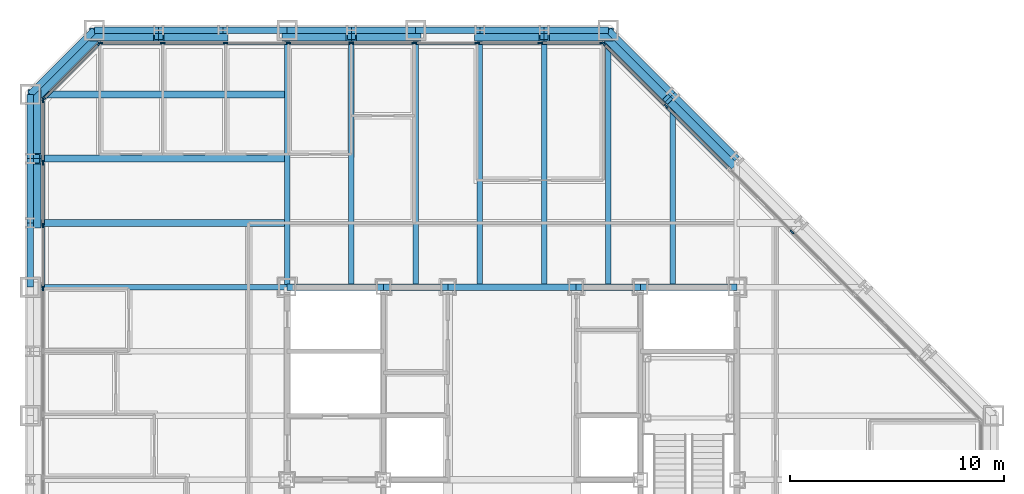
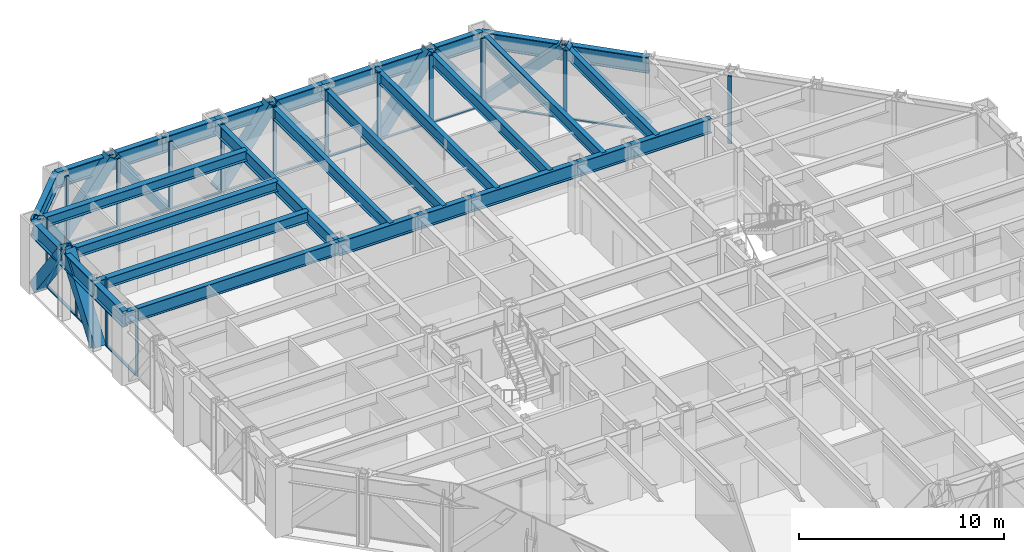
# One storey, part 7 of 16: 43 members, 30 beams, 4 elements without a shape of their own.
"""IFC4 building model written with IfcOpenShell, lengths in metres."""

from ifc_helpers import new_model, si_unit, direction, frame, origin, origin_2d, place, context, subcontext, project, spatial, rectangle, hollow_rectangle, i_section, extrude, material, layer, layer_set, material_profile, profile_set, type_object, element, aggregate, save


model = new_model("IFC4")

# Units and contexts
model_context = context("Model", 3, precision=1e-05, world=origin(), true_north=direction((0.0, 1.0)))
body_context = subcontext(model_context, "Body", "Model", "MODEL_VIEW")
ifc_project = project(units=[si_unit("LENGTHUNIT", "METRE"), si_unit("AREAUNIT", "SQUARE_METRE"), si_unit("VOLUMEUNIT", "CUBIC_METRE"), si_unit("PLANEANGLEUNIT", "RADIAN"), si_unit("MASSUNIT", "GRAM", prefix="KILO")], contexts=[model_context])

# Site, building, storey
site_placement = place(None, origin())
site = spatial("IfcSite", under=ifc_project, at=site_placement, CompositionType="ELEMENT")
building_placement = place(site_placement, origin())
building = spatial("IfcBuilding", under=site, at=building_placement, Name="Chuquiago Exchange Tower", CompositionType="ELEMENT")
storey_placement = place(building_placement, frame((0.0, 0.0, 123.60009765625)))
storey = spatial("IfcBuildingStorey", under=building, at=storey_placement, Name="L26", CompositionType="ELEMENT", Elevation=123.60009765625)

# Beams
ifc_material_1 = material(Name="Steel ASTM A992", Category="steel")
ifc_material_profile_1 = material_profile(ifc_material_1, i_section(OverallWidth=0.25390625, OverallDepth=0.683349609375, WebThickness=0.012451171875, FlangeThickness=0.018798828125, at=origin_2d()), Name="W27X94")
ifc_profile_set_1 = profile_set([ifc_material_profile_1], Name="Steel ASTM A992")
beam_type_1 = type_object("IfcBeamType", Name="B1 W27X94", PredefinedType="BEAM", material=ifc_profile_set_1)
for number, where, z_axis, x_axis, name in (
    (1, (15.0, 33.0, 3.6982421875), (0.0, 1.0, 0.0), (-1.0, 0.0, 0.0), "FB-L27-infill-15_33-15_45-0"),
    (2, (18.0, 33.0, 3.6982421875), (0.0, 1.0, 0.0), (-1.0, 0.0, 0.0), "FB-L27-infill-18_33-18_45-0"),
    (3, (21.0, 33.0, 3.6982421875), (0.0, 1.0, 0.0), (-1.0, 0.0, 0.0), "FB-L27-infill-21_33-21_45-0"),
    (4, (24.0, 33.0, 3.6982421875), (0.0, 1.0, 0.0), (-1.0, 0.0, 0.0), "FB-L27-infill-24_33-24_45-0"),
    (5, (27.0, 33.0, 3.6982421875), (0.0, 1.0, 0.0), (-1.0, 0.0, 0.0), "FB-L27-infill-27_33-27_45-0"),
):
    element("IfcBeam", number, at=place(storey_placement, frame(where, z_axis=z_axis, x_axis=x_axis)), inside=storey, type_object=beam_type_1, Name=name, PredefinedType="BEAM", context=body_context, shape_type="SweptSolid", body=[
        extrude(i_section(OverallWidth=0.25390625, OverallDepth=0.683349609375, WebThickness=0.012451171875, FlangeThickness=0.018798828125, at=origin_2d()), origin(), (0.0, 0.0, 1.0), 12.0),
    ])
beam_1_placement = place(storey_placement, frame((30.0, 33.0, 3.6982421875), z_axis=(0.0, 1.0, 0.0), x_axis=(-1.0, 0.0, 0.0)))
element("IfcBeam", 6, at=beam_1_placement, inside=storey, type_object=beam_type_1, Name="FB-L27-infill-30_33-30_42-0", PredefinedType="BEAM", context=body_context, shape_type="SweptSolid", body=[
    extrude(i_section(OverallWidth=0.25390625, OverallDepth=0.683349609375, WebThickness=0.012451171875, FlangeThickness=0.018798828125, at=origin_2d()), origin(), (0.0, 0.0, 1.0), 9.0),
])
ifc_material_2 = material(Name="Steel ASTM A992", Category="steel")
ifc_material_profile_2 = material_profile(ifc_material_2, i_section(OverallWidth=0.3251953125, OverallDepth=0.612060546875, WebThickness=0.0126953125, FlangeThickness=0.01904296875, at=origin_2d()), Name="W24X104")
ifc_profile_set_2 = profile_set([ifc_material_profile_2], Name="Steel ASTM A992")
beam_type_2 = type_object("IfcBeamType", Name="B2 W24X104", PredefinedType="BEAM", material=ifc_profile_set_2)
for number, where, z_axis, x_axis, name in (
    (7, (12.0, 36.0, 3.73388671875), (-1.0, 0.0, 0.0), (0.0, -1.0, 0.0), "FB-L27-corner-12_36--0_36-0"),
    (8, (12.0, 39.0, 3.73388671875), (-1.0, 0.0, 0.0), (0.0, -1.0, 0.0), "FB-L27-corner-12_39--0_39-0"),
    (9, (12.0, 42.0, 3.73388671875), (-1.0, 0.0, 0.0), (0.0, -1.0, 0.0), "FB-L27-corner-12_42--0_42-0"),
):
    element("IfcBeam", number, at=place(storey_placement, frame(where, z_axis=z_axis, x_axis=x_axis)), inside=storey, type_object=beam_type_2, Name=name, PredefinedType="BEAM", context=body_context, shape_type="SweptSolid", body=[
        extrude(i_section(OverallWidth=0.3251953125, OverallDepth=0.612060546875, WebThickness=0.0126953125, FlangeThickness=0.01904296875, at=origin_2d()), origin(), (0.0, 0.0, 1.0), 12.0),
    ])
ifc_material_3 = material(Name="Steel ASTM A992", Category="steel")
ifc_material_profile_3 = material_profile(ifc_material_3, i_section(OverallWidth=0.2919921875, OverallDepth=0.8583984375, WebThickness=0.01708984375, FlangeThickness=0.031005859375, at=origin_2d()), Name="W33X169")
ifc_profile_set_3 = profile_set([ifc_material_profile_3], Name="Steel ASTM A992")
beam_type_3 = type_object("IfcBeamType", Name="B3 W33X169", PredefinedType="BEAM", material=ifc_profile_set_3)
beam_2_placement = place(storey_placement, frame((12.0, 33.0, 3.610595703125), z_axis=(1.0, 0.0, 0.0), x_axis=(0.0, 1.0, 0.0)))
element("IfcBeam", 10, at=beam_2_placement, inside=storey, type_object=beam_type_3, Name="CB-L27-12_33-16.5_33", PredefinedType="BEAM", context=body_context, shape_type="SweptSolid", body=[
    extrude(i_section(OverallWidth=0.2919921875, OverallDepth=0.8583984375, WebThickness=0.01708984375, FlangeThickness=0.031005859375, at=origin_2d()), origin(), (0.0, 0.0, 1.0), 4.5),
])
beam_3_placement = place(storey_placement, frame((16.5, 33.0, 3.610595703125), z_axis=(1.0, 0.0, 0.0), x_axis=(0.0, 1.0, 0.0)))
element("IfcBeam", 11, at=beam_3_placement, inside=storey, type_object=beam_type_3, Name="CB-L27-16.5_33-19.5_33", PredefinedType="BEAM", context=body_context, shape_type="SweptSolid", body=[
    extrude(i_section(OverallWidth=0.2919921875, OverallDepth=0.8583984375, WebThickness=0.01708984375, FlangeThickness=0.031005859375, at=origin_2d()), origin(), (0.0, 0.0, 1.0), 3.0),
])
beam_4_placement = place(storey_placement, frame((19.5, 33.0, 3.610595703125), z_axis=(1.0, 0.0, 0.0), x_axis=(0.0, 1.0, 0.0)))
element("IfcBeam", 12, at=beam_4_placement, inside=storey, type_object=beam_type_3, Name="CB-L27-19.5_33-25.5_33", PredefinedType="BEAM", context=body_context, shape_type="SweptSolid", body=[
    extrude(i_section(OverallWidth=0.2919921875, OverallDepth=0.8583984375, WebThickness=0.01708984375, FlangeThickness=0.031005859375, at=origin_2d()), origin(), (0.0, 0.0, 1.0), 6.0),
])
beam_5_placement = place(storey_placement, frame((25.5, 33.0, 3.610595703125), z_axis=(1.0, 0.0, 0.0), x_axis=(0.0, 1.0, 0.0)))
element("IfcBeam", 13, at=beam_5_placement, inside=storey, type_object=beam_type_3, Name="CB-L27-25.5_33-28.5_33", PredefinedType="BEAM", context=body_context, shape_type="SweptSolid", body=[
    extrude(i_section(OverallWidth=0.2919921875, OverallDepth=0.8583984375, WebThickness=0.01708984375, FlangeThickness=0.031005859375, at=origin_2d()), origin(), (0.0, 0.0, 1.0), 3.0),
])
beam_6_placement = place(storey_placement, frame((28.5, 33.0, 3.610595703125), z_axis=(1.0, 0.0, 0.0), x_axis=(0.0, 1.0, 0.0)))
element("IfcBeam", 14, at=beam_6_placement, inside=storey, type_object=beam_type_3, Name="CB-L27-28.5_33-33_33", PredefinedType="BEAM", context=body_context, shape_type="SweptSolid", body=[
    extrude(i_section(OverallWidth=0.2919921875, OverallDepth=0.8583984375, WebThickness=0.01708984375, FlangeThickness=0.031005859375, at=origin_2d()), origin(), (0.0, 0.0, 1.0), 4.5),
])

# Curtain wall, members
ifc_material_4 = material(Name="Aluminium curtain wall system", Category="aluminium")
ifc_layer_1 = layer(ifc_material_4, 0.22509765625)
ifc_layer_set_1 = layer_set([ifc_layer_1], Name="CW2 office curtain wall")
curtain_wall_type_1 = type_object("IfcCurtainWallType", Name="CW2 office curtain wall", PredefinedType="NOTDEFINED", material=ifc_layer_set_1)
curtain_wall_1_placement = place(storey_placement, origin())
curtain_wall_1 = element("IfcCurtainWall", 15, at=curtain_wall_1_placement, inside=storey, type_object=curtain_wall_type_1, Name="CW2 curtain wall L26", PredefinedType="NOTDEFINED")
ifc_material_5 = material(Name="Aluminium mullion, pale anodised", Category="aluminium")
ifc_material_profile_4 = material_profile(ifc_material_5, rectangle(XDim=0.06494140625, YDim=0.22509765625, at=origin_2d()), Name="AL 65x225")
ifc_profile_set_4 = profile_set([ifc_material_profile_4], Name="Aluminium mullion, pale anodised")
member_type_1 = type_object("IfcMemberType", Name="CW2-M mullion 65x225", PredefinedType="MULLION", material=ifc_profile_set_4)
member_1_placement = place(storey_placement, frame((26.718994140625, 44.39990234375, 0.0), z_axis=(0.0, 0.0, 1.0), x_axis=(0.0, -1.0, 0.0)))
member_1 = element("IfcMember", 16, at=member_1_placement, type_object=member_type_1, Name="CW2 mullion 1", PredefinedType="MULLION", context=body_context, shape_type="SweptSolid", body=[
    extrude(rectangle(XDim=0.06494140625, YDim=0.22509765625, at=origin_2d()), origin(), (0.0, 0.0, 1.0), 4.039794921875),
])
member_2_placement = place(storey_placement, frame((23.813720703125, 44.39990234375, 0.0), z_axis=(0.0, 0.0, 1.0), x_axis=(0.0, -1.0, 0.0)))
member_2 = element("IfcMember", 17, at=member_2_placement, type_object=member_type_1, Name="CW2 mullion 2", PredefinedType="MULLION", context=body_context, shape_type="SweptSolid", body=[
    extrude(rectangle(XDim=0.06494140625, YDim=0.22509765625, at=origin_2d()), origin(), (0.0, 0.0, 1.0), 4.039794921875),
])
member_3_placement = place(storey_placement, frame((20.875732421875, 44.39990234375, 0.0), z_axis=(0.0, 0.0, 1.0), x_axis=(0.0, -1.0, 0.0)))
member_3 = element("IfcMember", 18, at=member_3_placement, type_object=member_type_1, Name="CW2 mullion 3", PredefinedType="MULLION", context=body_context, shape_type="SweptSolid", body=[
    extrude(rectangle(XDim=0.06494140625, YDim=0.22509765625, at=origin_2d()), origin(), (0.0, 0.0, 1.0), 4.039794921875),
])
member_4_placement = place(storey_placement, frame((17.93798828125, 44.39990234375, 0.0), z_axis=(0.0, 0.0, 1.0), x_axis=(0.0, -1.0, 0.0)))
member_4 = element("IfcMember", 19, at=member_4_placement, type_object=member_type_1, Name="CW2 mullion 4", PredefinedType="MULLION", context=body_context, shape_type="SweptSolid", body=[
    extrude(rectangle(XDim=0.06494140625, YDim=0.22509765625, at=origin_2d()), origin(), (0.0, 0.0, 1.0), 4.039794921875),
])
member_5_placement = place(storey_placement, frame((15.0, 44.39990234375, 0.0), z_axis=(0.0, 0.0, 1.0), x_axis=(0.0, -1.0, 0.0)))
member_5 = element("IfcMember", 20, at=member_5_placement, type_object=member_type_1, Name="CW2 mullion 5", PredefinedType="MULLION", context=body_context, shape_type="SweptSolid", body=[
    extrude(rectangle(XDim=0.06494140625, YDim=0.22509765625, at=origin_2d()), origin(), (0.0, 0.0, 1.0), 4.039794921875),
])
member_6_placement = place(storey_placement, frame((12.06201171875, 44.39990234375, 0.0), z_axis=(0.0, 0.0, 1.0), x_axis=(0.0, -1.0, 0.0)))
member_6 = element("IfcMember", 21, at=member_6_placement, type_object=member_type_1, Name="CW2 mullion 6", PredefinedType="MULLION", context=body_context, shape_type="SweptSolid", body=[
    extrude(rectangle(XDim=0.06494140625, YDim=0.22509765625, at=origin_2d()), origin(), (0.0, 0.0, 1.0), 4.039794921875),
])
member_7_placement = place(storey_placement, frame((9.124267578125, 44.39990234375, 0.0), z_axis=(0.0, 0.0, 1.0), x_axis=(0.0, -1.0, 0.0)))
member_7 = element("IfcMember", 22, at=member_7_placement, type_object=member_type_1, Name="CW2 mullion 7", PredefinedType="MULLION", context=body_context, shape_type="SweptSolid", body=[
    extrude(rectangle(XDim=0.06494140625, YDim=0.22509765625, at=origin_2d()), origin(), (0.0, 0.0, 1.0), 4.039794921875),
])
member_8_placement = place(storey_placement, frame((6.186279296875, 44.39990234375, 0.0), z_axis=(0.0, 0.0, 1.0), x_axis=(0.0, -1.0, 0.0)))
member_8 = element("IfcMember", 23, at=member_8_placement, type_object=member_type_1, Name="CW2 mullion 8", PredefinedType="MULLION", context=body_context, shape_type="SweptSolid", body=[
    extrude(rectangle(XDim=0.06494140625, YDim=0.22509765625, at=origin_2d()), origin(), (0.0, 0.0, 1.0), 4.039794921875),
])
member_9_placement = place(storey_placement, frame((3.281005859375, 44.39990234375, 0.0), z_axis=(0.0, 0.0, 1.0), x_axis=(0.0, -1.0, 0.0)))
member_9 = element("IfcMember", 24, at=member_9_placement, type_object=member_type_1, Name="CW2 mullion 9", PredefinedType="MULLION", context=body_context, shape_type="SweptSolid", body=[
    extrude(rectangle(XDim=0.06494140625, YDim=0.22509765625, at=origin_2d()), origin(), (0.0, 0.0, 1.0), 4.039794921875),
])

curtain_wall_2_placement = place(storey_placement, origin())
curtain_wall_2 = element("IfcCurtainWall", 25, at=curtain_wall_2_placement, inside=storey, type_object=curtain_wall_type_1, Name="CW2 curtain wall L26", PredefinedType="NOTDEFINED")
member_10_placement = place(storey_placement, frame((0.60009765625, 41.718994140625, 0.0), z_axis=(0.0, 0.0, 1.0), x_axis=(1.0, 0.0, 0.0)))
member_10 = element("IfcMember", 26, at=member_10_placement, type_object=member_type_1, Name="CW2 mullion 1", PredefinedType="MULLION", context=body_context, shape_type="SweptSolid", body=[
    extrude(rectangle(XDim=0.06494140625, YDim=0.22509765625, at=origin_2d()), origin(), (0.0, 0.0, 1.0), 4.039794921875),
])
member_11_placement = place(storey_placement, frame((0.60009765625, 38.813720703125, 0.0), z_axis=(0.0, 0.0, 1.0), x_axis=(1.0, 0.0, 0.0)))
member_11 = element("IfcMember", 27, at=member_11_placement, type_object=member_type_1, Name="CW2 mullion 2", PredefinedType="MULLION", context=body_context, shape_type="SweptSolid", body=[
    extrude(rectangle(XDim=0.06494140625, YDim=0.22509765625, at=origin_2d()), origin(), (0.0, 0.0, 1.0), 4.039794921875),
])
member_12_placement = place(storey_placement, frame((0.60009765625, 35.875732421875, 0.0), z_axis=(0.0, 0.0, 1.0), x_axis=(1.0, 0.0, 0.0)))
member_12 = element("IfcMember", 28, at=member_12_placement, type_object=member_type_1, Name="CW2 mullion 3", PredefinedType="MULLION", context=body_context, shape_type="SweptSolid", body=[
    extrude(rectangle(XDim=0.06494140625, YDim=0.22509765625, at=origin_2d()), origin(), (0.0, 0.0, 1.0), 4.039794921875),
])
member_13_placement = place(storey_placement, frame((0.60009765625, 32.93798828125, 0.0), z_axis=(0.0, 0.0, 1.0), x_axis=(1.0, 0.0, 0.0)))
member_13 = element("IfcMember", 29, at=member_13_placement, type_object=member_type_1, Name="CW2 mullion 4", PredefinedType="MULLION", context=body_context, shape_type="SweptSolid", body=[
    extrude(rectangle(XDim=0.06494140625, YDim=0.22509765625, at=origin_2d()), origin(), (0.0, 0.0, 1.0), 4.039794921875),
])

# Member
ifc_material_6 = material(Name="Aluminium transom, pale anodised", Category="aluminium")
ifc_material_profile_5 = material_profile(ifc_material_6, rectangle(XDim=0.139892578125, YDim=0.06494140625, at=origin_2d()), Name="AL 140x65")
ifc_profile_set_5 = profile_set([ifc_material_profile_5], Name="Aluminium transom, pale anodised")
member_type_2 = type_object("IfcMemberType", Name="CW2-T transom 65x140", PredefinedType="MULLION", material=ifc_profile_set_5)
member_14_placement = place(storey_placement, frame((26.6865234375, 44.39990234375, 0.032470703125), z_axis=(-1.0, 0.0, 0.0), x_axis=(0.0, -1.0, 0.0)))
member_14 = element("IfcMember", 30, at=member_14_placement, type_object=member_type_2, Name="CW2 transom 1.1", PredefinedType="MULLION", context=body_context, shape_type="SweptSolid", body=[
    extrude(rectangle(XDim=0.139892578125, YDim=0.06494140625, at=origin_2d()), origin(), (0.0, 0.0, 1.0), 2.84033203125),
])

member_15_placement = place(storey_placement, frame((23.781005859375, 44.39990234375, 0.032470703125), z_axis=(-1.0, 0.0, 0.0), x_axis=(0.0, -1.0, 0.0)))
member_15 = element("IfcMember", 31, at=member_15_placement, type_object=member_type_2, Name="CW2 transom 2.1", PredefinedType="MULLION", context=body_context, shape_type="SweptSolid", body=[
    extrude(rectangle(XDim=0.139892578125, YDim=0.06494140625, at=origin_2d()), origin(), (0.0, 0.0, 1.0), 2.872802734375),
])

member_16_placement = place(storey_placement, frame((20.84326171875, 44.39990234375, 0.032470703125), z_axis=(-1.0, 0.0, 0.0), x_axis=(0.0, -1.0, 0.0)))
member_16 = element("IfcMember", 32, at=member_16_placement, type_object=member_type_2, Name="CW2 transom 3.1", PredefinedType="MULLION", context=body_context, shape_type="SweptSolid", body=[
    extrude(rectangle(XDim=0.139892578125, YDim=0.06494140625, at=origin_2d()), origin(), (0.0, 0.0, 1.0), 2.872802734375),
])

member_17_placement = place(storey_placement, frame((17.9052734375, 44.39990234375, 0.032470703125), z_axis=(-1.0, 0.0, 0.0), x_axis=(0.0, -1.0, 0.0)))
member_17 = element("IfcMember", 33, at=member_17_placement, type_object=member_type_2, Name="CW2 transom 4.1", PredefinedType="MULLION", context=body_context, shape_type="SweptSolid", body=[
    extrude(rectangle(XDim=0.139892578125, YDim=0.06494140625, at=origin_2d()), origin(), (0.0, 0.0, 1.0), 2.872802734375),
])

member_18_placement = place(storey_placement, frame((14.967529296875, 44.39990234375, 0.032470703125), z_axis=(-1.0, 0.0, 0.0), x_axis=(0.0, -1.0, 0.0)))
member_18 = element("IfcMember", 34, at=member_18_placement, type_object=member_type_2, Name="CW2 transom 5.1", PredefinedType="MULLION", context=body_context, shape_type="SweptSolid", body=[
    extrude(rectangle(XDim=0.139892578125, YDim=0.06494140625, at=origin_2d()), origin(), (0.0, 0.0, 1.0), 2.872802734375),
])

member_19_placement = place(storey_placement, frame((12.029541015625, 44.39990234375, 0.032470703125), z_axis=(-1.0, 0.0, 0.0), x_axis=(0.0, -1.0, 0.0)))
member_19 = element("IfcMember", 35, at=member_19_placement, type_object=member_type_2, Name="CW2 transom 6.1", PredefinedType="MULLION", context=body_context, shape_type="SweptSolid", body=[
    extrude(rectangle(XDim=0.139892578125, YDim=0.06494140625, at=origin_2d()), origin(), (0.0, 0.0, 1.0), 2.872802734375),
])

member_20_placement = place(storey_placement, frame((9.091796875, 44.39990234375, 0.032470703125), z_axis=(-1.0, 0.0, 0.0), x_axis=(0.0, -1.0, 0.0)))
member_20 = element("IfcMember", 36, at=member_20_placement, type_object=member_type_2, Name="CW2 transom 7.1", PredefinedType="MULLION", context=body_context, shape_type="SweptSolid", body=[
    extrude(rectangle(XDim=0.139892578125, YDim=0.06494140625, at=origin_2d()), origin(), (0.0, 0.0, 1.0), 2.872802734375),
])

member_21_placement = place(storey_placement, frame((6.15380859375, 44.39990234375, 0.032470703125), z_axis=(-1.0, 0.0, 0.0), x_axis=(0.0, -1.0, 0.0)))
member_21 = element("IfcMember", 37, at=member_21_placement, type_object=member_type_2, Name="CW2 transom 8.1", PredefinedType="MULLION", context=body_context, shape_type="SweptSolid", body=[
    extrude(rectangle(XDim=0.139892578125, YDim=0.06494140625, at=origin_2d()), origin(), (0.0, 0.0, 1.0), 2.84033203125),
])

aggregate(curtain_wall_1, [member_1, member_2, member_3, member_4, member_5, member_6, member_7, member_8, member_9, member_14, member_15, member_16, member_17, member_18, member_19, member_20, member_21])

member_22_placement = place(storey_placement, frame((0.60009765625, 41.6865234375, 0.032470703125), z_axis=(0.0, -1.0, 0.0), x_axis=(1.0, 0.0, 0.0)))
member_22 = element("IfcMember", 38, at=member_22_placement, type_object=member_type_2, Name="CW2 transom 1.1", PredefinedType="MULLION", context=body_context, shape_type="SweptSolid", body=[
    extrude(rectangle(XDim=0.139892578125, YDim=0.06494140625, at=origin_2d()), origin(), (0.0, 0.0, 1.0), 2.84033203125),
])

member_23_placement = place(storey_placement, frame((0.60009765625, 38.781005859375, 0.032470703125), z_axis=(0.0, -1.0, 0.0), x_axis=(1.0, 0.0, 0.0)))
member_23 = element("IfcMember", 39, at=member_23_placement, type_object=member_type_2, Name="CW2 transom 2.1", PredefinedType="MULLION", context=body_context, shape_type="SweptSolid", body=[
    extrude(rectangle(XDim=0.139892578125, YDim=0.06494140625, at=origin_2d()), origin(), (0.0, 0.0, 1.0), 2.872802734375),
])

member_24_placement = place(storey_placement, frame((0.60009765625, 35.84326171875, 0.032470703125), z_axis=(0.0, -1.0, 0.0), x_axis=(1.0, 0.0, 0.0)))
member_24 = element("IfcMember", 40, at=member_24_placement, type_object=member_type_2, Name="CW2 transom 3.1", PredefinedType="MULLION", context=body_context, shape_type="SweptSolid", body=[
    extrude(rectangle(XDim=0.139892578125, YDim=0.06494140625, at=origin_2d()), origin(), (0.0, 0.0, 1.0), 2.872802734375),
])

aggregate(curtain_wall_2, [member_10, member_11, member_12, member_13, member_22, member_23, member_24])

# Curtain wall, members
ifc_material_7 = material(Name="Aluminium curtain wall system", Category="aluminium")
ifc_layer_2 = layer(ifc_material_7, 0.199951171875)
ifc_layer_set_2 = layer_set([ifc_layer_2], Name="CW3 facet curtain wall")
curtain_wall_type_2 = type_object("IfcCurtainWallType", Name="CW3 facet curtain wall", PredefinedType="NOTDEFINED", material=ifc_layer_set_2)
curtain_wall_3_placement = place(storey_placement, origin())
curtain_wall_3 = element("IfcCurtainWall", 41, at=curtain_wall_3_placement, inside=storey, type_object=curtain_wall_type_2, Name="CW3 curtain wall L26", PredefinedType="NOTDEFINED")
ifc_material_8 = material(Name="Aluminium mullion, pale anodised", Category="aluminium")
ifc_material_profile_6 = material_profile(ifc_material_8, rectangle(XDim=0.06494140625, YDim=0.199951171875, at=origin_2d()), Name="AL 65x200")
ifc_profile_set_6 = profile_set([ifc_material_profile_6], Name="Aluminium mullion, pale anodised")
member_type_3 = type_object("IfcMemberType", Name="CW3-M mullion 65x200", PredefinedType="MULLION", material=ifc_profile_set_6)
member_25_placement = place(storey_placement, frame((35.57568359375, 35.57568359375, 0.0), z_axis=(0.0, 0.0, 1.0), x_axis=(-0.707106781187, -0.707106781187, 0.0)))
member_25 = element("IfcMember", 42, at=member_25_placement, type_object=member_type_3, Name="CW3 mullion 4", PredefinedType="MULLION", context=body_context, shape_type="SweptSolid", body=[
    extrude(rectangle(XDim=0.06494140625, YDim=0.199951171875, at=origin_2d()), origin(), (0.0, 0.0, 1.0), 4.039794921875),
])
member_26_placement = place(storey_placement, frame((29.69287109375, 41.45849609375, 0.0), z_axis=(0.0, 0.0, 1.0), x_axis=(-0.707106781187, -0.707106781187, 0.0)))
member_26 = element("IfcMember", 43, at=member_26_placement, type_object=member_type_3, Name="CW3 mullion 6", PredefinedType="MULLION", context=body_context, shape_type="SweptSolid", body=[
    extrude(rectangle(XDim=0.06494140625, YDim=0.199951171875, at=origin_2d()), origin(), (0.0, 0.0, 1.0), 4.039794921875),
])
member_27_placement = place(storey_placement, frame((26.7744140625, 44.376953125, 0.0), z_axis=(0.0, 0.0, 1.0), x_axis=(-0.707106781187, -0.707106781187, 0.0)))
member_27 = element("IfcMember", 44, at=member_27_placement, type_object=member_type_3, Name="CW3 mullion 7", PredefinedType="MULLION", context=body_context, shape_type="SweptSolid", body=[
    extrude(rectangle(XDim=0.06494140625, YDim=0.199951171875, at=origin_2d()), origin(), (0.0, 0.0, 1.0), 4.039794921875),
])

curtain_wall_4_placement = place(storey_placement, origin())
curtain_wall_4 = element("IfcCurtainWall", 45, at=curtain_wall_4_placement, inside=storey, type_object=curtain_wall_type_2, Name="CW3 curtain wall L26", PredefinedType="NOTDEFINED")
member_28_placement = place(storey_placement, frame((3.2255859375, 44.376953125, 0.0), z_axis=(0.0, 0.0, 1.0), x_axis=(0.707106781187, -0.707106781187, 0.0)))
member_28 = element("IfcMember", 46, at=member_28_placement, type_object=member_type_3, Name="CW3 mullion 1", PredefinedType="MULLION", context=body_context, shape_type="SweptSolid", body=[
    extrude(rectangle(XDim=0.06494140625, YDim=0.199951171875, at=origin_2d()), origin(), (0.0, 0.0, 1.0), 4.039794921875),
])
member_29_placement = place(storey_placement, frame((0.623046875, 41.7744140625, 0.0), z_axis=(0.0, 0.0, 1.0), x_axis=(0.707106781187, -0.707106781187, 0.0)))
member_29 = element("IfcMember", 47, at=member_29_placement, type_object=member_type_3, Name="CW3 mullion 2", PredefinedType="MULLION", context=body_context, shape_type="SweptSolid", body=[
    extrude(rectangle(XDim=0.06494140625, YDim=0.199951171875, at=origin_2d()), origin(), (0.0, 0.0, 1.0), 4.039794921875),
])

# Member
ifc_material_9 = material(Name="Aluminium transom, pale anodised", Category="aluminium")
ifc_material_profile_7 = material_profile(ifc_material_9, rectangle(XDim=0.139892578125, YDim=0.06494140625, at=origin_2d()), Name="AL 140x65")
ifc_profile_set_7 = profile_set([ifc_material_profile_7], Name="Aluminium transom, pale anodised")
member_type_4 = type_object("IfcMemberType", Name="CW3-T transom 65x140", PredefinedType="MULLION", material=ifc_profile_set_7)
member_30_placement = place(storey_placement, frame((32.611328125, 38.5400390625, 0.032470703125), z_axis=(-0.707106781187, 0.707106781187, 0.0), x_axis=(-0.707106781187, -0.707106781187, 0.0)))
member_30 = element("IfcMember", 48, at=member_30_placement, type_object=member_type_4, Name="CW3 transom 5.1", PredefinedType="MULLION", context=body_context, shape_type="SweptSolid", body=[
    extrude(rectangle(XDim=0.139892578125, YDim=0.06494140625, at=origin_2d()), origin(), (0.0, 0.0, 1.0), 4.094970703125),
])

member_31_placement = place(storey_placement, frame((29.669921875, 41.4814453125, 0.032470703125), z_axis=(-0.707106781187, 0.707106781187, 0.0), x_axis=(-0.707106781187, -0.707106781187, 0.0)))
member_31 = element("IfcMember", 49, at=member_31_placement, type_object=member_type_4, Name="CW3 transom 6.1", PredefinedType="MULLION", context=body_context, shape_type="SweptSolid", body=[
    extrude(rectangle(XDim=0.139892578125, YDim=0.06494140625, at=origin_2d()), origin(), (0.0, 0.0, 1.0), 4.0625),
])

aggregate(curtain_wall_3, [member_25, member_26, member_27, member_30, member_31])

member_32_placement = place(storey_placement, frame((3.20263671875, 44.35400390625, 0.032470703125), z_axis=(-0.707106781187, -0.707106781187, 0.0), x_axis=(0.707106781187, -0.707106781187, 0.0)))
member_32 = element("IfcMember", 50, at=member_32_placement, type_object=member_type_4, Name="CW3 transom 1.1", PredefinedType="MULLION", context=body_context, shape_type="SweptSolid", body=[
    extrude(rectangle(XDim=0.139892578125, YDim=0.06494140625, at=origin_2d()), origin(), (0.0, 0.0, 1.0), 3.61572265625),
])

aggregate(curtain_wall_4, [member_28, member_29, member_32])

# Beams
ifc_material_10 = material(Name="Steel ASTM A992", Category="steel")
ifc_material_profile_8 = material_profile(ifc_material_10, i_section(OverallWidth=0.2666015625, OverallDepth=0.76953125, WebThickness=0.015625, FlangeThickness=0.025390625, at=origin_2d()), Name="W30X132")
ifc_profile_set_8 = profile_set([ifc_material_profile_8], Name="Steel ASTM A992")
beam_type_4 = type_object("IfcBeamType", Name="G1 W30X132", PredefinedType="BEAM", material=ifc_profile_set_8)
for number, where, z_axis, x_axis, name in (
    (51, (12.0, 33.0, 3.655029296875), (0.0, 1.0, 0.0), (-1.0, 0.0, 0.0), "FB-L27-girder-12_33-12_45-0"),
    (52, (12.0, 33.0, 3.655029296875), (-1.0, 0.0, 0.0), (0.0, -1.0, 0.0), "FB-L27-girder-12_33--0_33-0"),
):
    element("IfcBeam", number, at=place(storey_placement, frame(where, z_axis=z_axis, x_axis=x_axis)), inside=storey, type_object=beam_type_4, Name=name, PredefinedType="BEAM", context=body_context, shape_type="SweptSolid", body=[
        extrude(i_section(OverallWidth=0.2666015625, OverallDepth=0.76953125, WebThickness=0.015625, FlangeThickness=0.025390625, at=origin_2d()), origin(), (0.0, 0.0, 1.0), 12.0),
    ])

# Members
ifc_material_11 = material(Name="Steel ASTM A500 Grade C", Category="steel")
ifc_material_profile_9 = material_profile(ifc_material_11, hollow_rectangle(XDim=0.508056640625, YDim=0.508056640625, WallThickness=0.017822265625, at=origin_2d()), Name="HSS20X20X3/4")
ifc_profile_set_9 = profile_set([ifc_material_profile_9], Name="Steel ASTM A500 Grade C")
member_type_5 = type_object("IfcMemberType", Name="LB1 HSS20X20X3/4", PredefinedType="BRACE", material=ifc_profile_set_9)
for number, where, z_axis, x_axis, name in (
    (53, (32.822509765625, 38.822509765625, 0.0), (-0.51209198167, 0.51209198167, 0.689582195694), (-0.707106781187, -0.707106781187, 0.0), "LB-L26-33_39-30_42"),
    (54, (26.822509765625, 44.822509765625, 0.0), (0.51209198167, -0.51209198167, 0.689582195694), (0.707106781187, 0.707106781187, 0.0), "LB-L26-30_42-27_45"),
    (55, (3.177490234375, 44.822509765625, 0.0), (-0.51209198167, -0.51209198167, 0.689582195694), (0.707106781187, -0.707106781187, 0.0), "LB-L26-3_45-0_42"),
):
    element("IfcMember", number, at=place(storey_placement, frame(where, z_axis=z_axis, x_axis=x_axis)), inside=storey, type_object=member_type_5, Name=name, PredefinedType="BRACE", context=body_context, shape_type="SweptSolid", body=[
        extrude(hollow_rectangle(XDim=0.508056640625, YDim=0.508056640625, WallThickness=0.017822265625, at=origin_2d()), origin(), (0.0, 0.0, 1.0), 5.8583984375),
    ])
ifc_material_12 = material(Name="Steel ASTM A572 Grade 50", Category="steel")
ifc_material_profile_10 = material_profile(ifc_material_12, hollow_rectangle(XDim=0.60009765625, YDim=0.60009765625, WallThickness=0.06005859375, at=origin_2d()), Name="BOX600X600X60")
ifc_profile_set_10 = profile_set([ifc_material_profile_10], Name="Steel ASTM A572 Grade 50")
member_type_6 = type_object("IfcMemberType", Name="MB2 BOX600X600X60", PredefinedType="BRACE", material=ifc_profile_set_10)
for number, where, z_axis, x_axis, name in (
    (56, (27.0, 44.794921875, 0.0), (-0.596197146086, 0.0, 0.802838067732), (0.0, -1.0, 0.0), "Mega diagonal L26 N face"),
    (57, (21.0, 44.794921875, 0.0), (0.596197146086, 0.0, 0.802838067732), (0.0, 1.0, 0.0), "Mega diagonal L26 N face"),
    (58, (18.0, 44.794921875, 0.0), (-0.596197146086, 0.0, 0.802838067732), (0.0, -1.0, 0.0), "Mega diagonal L26 N face"),
    (59, (12.0, 44.794921875, 0.0), (0.596197146086, 0.0, 0.802838067732), (0.0, 1.0, 0.0), "Mega diagonal L26 N face"),
    (60, (9.0, 44.794921875, 0.0), (-0.596197146086, 0.0, 0.802838067732), (0.0, -1.0, 0.0), "Mega diagonal L26 N face"),
    (61, (3.0, 44.794921875, 0.0), (0.596197146086, 0.0, 0.802838067732), (0.0, 1.0, 0.0), "Mega diagonal L26 N face"),
    (62, (0.205078125, 42.0, 0.0), (0.0, -0.596197146086, 0.802838067732), (1.0, 0.0, 0.0), "Mega diagonal L26 W face"),
    (63, (0.205078125, 36.0, 0.0), (0.0, 0.596197146086, 0.802838067732), (-1.0, 0.0, 0.0), "Mega diagonal L26 W face"),
):
    element("IfcMember", number, at=place(storey_placement, frame(where, z_axis=z_axis, x_axis=x_axis)), inside=storey, type_object=member_type_6, Name=name, PredefinedType="BRACE", context=body_context, shape_type="SweptSolid", body=[
        extrude(hollow_rectangle(XDim=0.60009765625, YDim=0.60009765625, WallThickness=0.06005859375, at=origin_2d()), origin(), (0.0, 0.0, 1.0), 5.031982421875),
    ])

# Beams
ifc_material_13 = material(Name="Steel ASTM A992", Category="steel")
ifc_material_profile_11 = material_profile(ifc_material_13, i_section(OverallWidth=0.309814453125, OverallDepth=0.949951171875, WebThickness=0.0244140625, FlangeThickness=0.0439453125, at=origin_2d()), Name="W36X256")
ifc_profile_set_11 = profile_set([ifc_material_profile_11], Name="Steel ASTM A992")
beam_type_5 = type_object("IfcBeamType", Name="SP2 W36X256", PredefinedType="SPANDREL", material=ifc_profile_set_11)
for number, where, z_axis, x_axis, name in (
    (64, (33.0, 39.0, 3.56494140625), (-0.707106781187, 0.707106781187, 0.0), (-0.707106781187, -0.707106781187, 0.0), "SPB-L27-33_39-30_42"),
    (65, (30.0, 42.0, 3.56494140625), (-0.707106781187, 0.707106781187, 0.0), (-0.707106781187, -0.707106781187, 0.0), "SPB-L27-30_42-27_45"),
):
    element("IfcBeam", number, at=place(storey_placement, frame(where, z_axis=z_axis, x_axis=x_axis)), inside=storey, type_object=beam_type_5, Name=name, PredefinedType="SPANDREL", context=body_context, shape_type="SweptSolid", body=[
        extrude(i_section(OverallWidth=0.309814453125, OverallDepth=0.949951171875, WebThickness=0.0244140625, FlangeThickness=0.0439453125, at=origin_2d()), origin(), (0.0, 0.0, 1.0), 4.24267578125),
    ])
for number, where, z_axis, x_axis, name in (
    (66, (27.0, 45.0, 3.56494140625), (-1.0, 0.0, 0.0), (0.0, -1.0, 0.0), "SPB-L27-27_45-24_45"),
    (67, (24.0, 45.0, 3.56494140625), (-1.0, 0.0, 0.0), (0.0, -1.0, 0.0), "SPB-L27-24_45-21_45"),
    (68, (21.0, 45.0, 3.56494140625), (-1.0, 0.0, 0.0), (0.0, -1.0, 0.0), "SPB-L27-21_45-18_45"),
    (69, (18.0, 45.0, 3.56494140625), (-1.0, 0.0, 0.0), (0.0, -1.0, 0.0), "SPB-L27-18_45-15_45"),
    (70, (15.0, 45.0, 3.56494140625), (-1.0, 0.0, 0.0), (0.0, -1.0, 0.0), "SPB-L27-15_45-12_45"),
    (71, (12.0, 45.0, 3.56494140625), (-1.0, 0.0, 0.0), (0.0, -1.0, 0.0), "SPB-L27-12_45-9_45"),
    (72, (9.0, 45.0, 3.56494140625), (-1.0, 0.0, 0.0), (0.0, -1.0, 0.0), "SPB-L27-9_45-6_45"),
    (73, (6.0, 45.0, 3.56494140625), (-1.0, 0.0, 0.0), (0.0, -1.0, 0.0), "SPB-L27-6_45-3_45"),
):
    element("IfcBeam", number, at=place(storey_placement, frame(where, z_axis=z_axis, x_axis=x_axis)), inside=storey, type_object=beam_type_5, Name=name, PredefinedType="SPANDREL", context=body_context, shape_type="SweptSolid", body=[
        extrude(i_section(OverallWidth=0.309814453125, OverallDepth=0.949951171875, WebThickness=0.0244140625, FlangeThickness=0.0439453125, at=origin_2d()), origin(), (0.0, 0.0, 1.0), 3.0),
    ])
beam_7_placement = place(storey_placement, frame((3.0, 45.0, 3.56494140625), z_axis=(-0.707106781187, -0.707106781187, 0.0), x_axis=(0.707106781187, -0.707106781187, 0.0)))
element("IfcBeam", 74, at=beam_7_placement, inside=storey, type_object=beam_type_5, Name="SPB-L27-3_45-0_42", PredefinedType="SPANDREL", context=body_context, shape_type="SweptSolid", body=[
    extrude(i_section(OverallWidth=0.309814453125, OverallDepth=0.949951171875, WebThickness=0.0244140625, FlangeThickness=0.0439453125, at=origin_2d()), origin(), (0.0, 0.0, 1.0), 4.24267578125),
])
for number, where, z_axis, x_axis, name in (
    (75, (0.0, 42.0, 3.56494140625), (0.0, -1.0, 0.0), (1.0, 0.0, 0.0), "SPB-L27-0_42-0_39"),
    (76, (0.0, 39.0, 3.56494140625), (0.0, -1.0, 0.0), (1.0, 0.0, 0.0), "SPB-L27-0_39-0_36"),
    (77, (0.0, 36.0, 3.56494140625), (0.0, -1.0, 0.0), (1.0, 0.0, 0.0), "SPB-L27-0_36-0_33"),
):
    element("IfcBeam", number, at=place(storey_placement, frame(where, z_axis=z_axis, x_axis=x_axis)), inside=storey, type_object=beam_type_5, Name=name, PredefinedType="SPANDREL", context=body_context, shape_type="SweptSolid", body=[
        extrude(i_section(OverallWidth=0.309814453125, OverallDepth=0.949951171875, WebThickness=0.0244140625, FlangeThickness=0.0439453125, at=origin_2d()), origin(), (0.0, 0.0, 1.0), 3.0),
    ])

save(model, "model.ifc")
